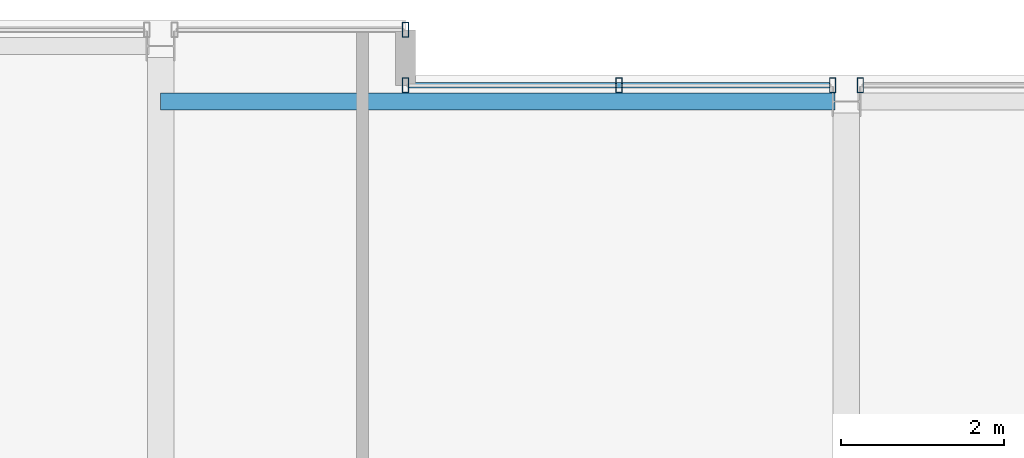
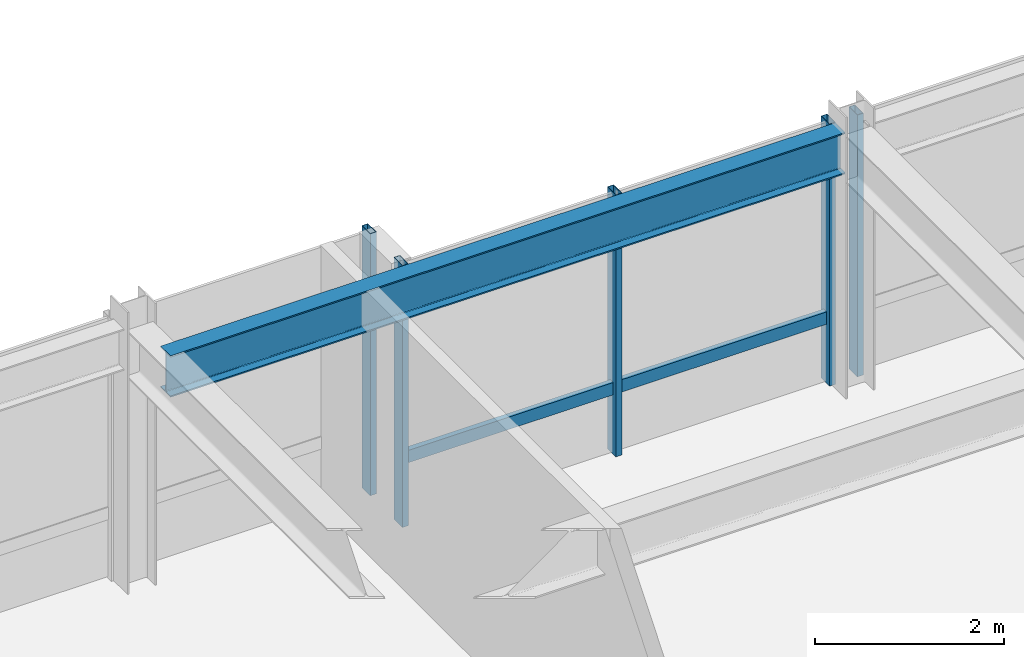
# One storey, part 23 of 34: 6 members, 1 beam, 3 elements without a shape of their own.
"""IFC4 building model written with IfcOpenShell, lengths in metres."""

from ifc_helpers import new_model, si_unit, direction, frame, origin, origin_2d, place, context, subcontext, project, spatial, hollow_rectangle, i_section, extrude, material, layer, layer_set, material_profile, profile_set, type_object, element, aggregate, save


model = new_model("IFC4")

# Units and contexts
model_context = context("Model", 3, precision=1e-05, world=origin(), true_north=direction((0.0, 1.0)))
body_context = subcontext(model_context, "Body", "Model", "MODEL_VIEW")
ifc_project = project(units=[si_unit("LENGTHUNIT", "METRE"), si_unit("AREAUNIT", "SQUARE_METRE"), si_unit("VOLUMEUNIT", "CUBIC_METRE"), si_unit("PLANEANGLEUNIT", "RADIAN"), si_unit("MASSUNIT", "GRAM", prefix="KILO")], contexts=[model_context])

# Site, building, storey
site_placement = place(None, origin())
site = spatial("IfcSite", under=ifc_project, at=site_placement, CompositionType="ELEMENT")
building_placement = place(site_placement, origin())
building = spatial("IfcBuilding", under=site, at=building_placement, Name="Drelvath Grand Hotel", CompositionType="ELEMENT")
storey_placement = place(building_placement, frame((0.0, 0.0, 286.89990234375)))
storey = spatial("IfcBuildingStorey", under=building, at=storey_placement, Name="L75", CompositionType="ELEMENT", Elevation=286.89990234375)

# Curtain wall, member
ifc_material_1 = material(Name="Platinum-Mist Anodised Aluminium Frame", Category="aluminium")
ifc_layer = layer(ifc_material_1, 0.199951171875)
ifc_layer_set = layer_set([ifc_layer], Name="Platinum-Mist Anodised Aluminium Frame")
curtain_wall_type = type_object("IfcCurtainWallType", Name="Stick Curtain Wall CW-05 Platinum Mist High-Rise", PredefinedType="NOTDEFINED", material=ifc_layer_set)
curtain_wall_1_placement = place(storey_placement, origin())
curtain_wall_1 = element("IfcCurtainWall", 1, at=curtain_wall_1_placement, inside=storey, type_object=curtain_wall_type, Name="L75 CW-05 Curtain Wall CW05-L75-NM1", PredefinedType="NOTDEFINED")
ifc_material_profile_1 = material_profile(ifc_material_1, hollow_rectangle(XDim=0.06494140625, YDim=0.159912109375, WallThickness=0.00390625, at=origin_2d()), Name="HSS160X65X4")
ifc_profile_set_1 = profile_set([ifc_material_profile_1], Name="Platinum-Mist Anodised Aluminium Frame")
member_type_1 = type_object("IfcMemberType", Name="Curtain Wall Horizontal Transom CW-05 HSS160X65X4", PredefinedType="USERDEFINED", material=ifc_profile_set_1)
member_1_placement = place(storey_placement, frame((-5.360107421875, 48.39990234375, 0.84765625), z_axis=(1.0, 0.0, 0.0), x_axis=(0.0, 1.0, 0.0)))
member_1 = element("IfcMember", 2, at=member_1_placement, type_object=member_type_1, Name="CW05-L75-NM1 Sill Transom", ObjectType="TRANSOM", PredefinedType="USERDEFINED", context=body_context, shape_type="SweptSolid", body=[
    extrude(hollow_rectangle(XDim=0.06494140625, YDim=0.159912109375, WallThickness=0.00390625, at=origin_2d()), origin(), (0.0, 0.0, 1.0), 5.14990234375),
])

curtain_wall_2_placement = place(storey_placement, origin())
curtain_wall_2 = element("IfcCurtainWall", 3, at=curtain_wall_2_placement, inside=storey, type_object=curtain_wall_type, Name="L75 CW-05 Curtain Wall CW05-L75-NW2", PredefinedType="NOTDEFINED")
ifc_material_profile_2 = material_profile(ifc_material_1, hollow_rectangle(XDim=0.074951171875, YDim=0.179931640625, WallThickness=0.0048828125, at=origin_2d()), Name="HSS180X75X5")
ifc_profile_set_2 = profile_set([ifc_material_profile_2], Name="Platinum-Mist Anodised Aluminium Frame")
member_type_2 = type_object("IfcMemberType", Name="Curtain Wall Vertical Mullion CW-05 HSS180X75X5", PredefinedType="MULLION", material=ifc_profile_set_2)
member_2_placement = place(storey_placement, frame((-5.39990234375, 49.080078125, 0.0), z_axis=(0.0, 0.0, 1.0), x_axis=(1.0, 0.0, 0.0)))
member_2 = element("IfcMember", 4, at=member_2_placement, type_object=member_type_2, Name="CW05-L75-NW2 Mullion 2", PredefinedType="MULLION", context=body_context, shape_type="SweptSolid", body=[
    extrude(hollow_rectangle(XDim=0.074951171875, YDim=0.179931640625, WallThickness=0.0048828125, at=origin_2d()), origin(), (0.0, 0.0, 1.0), 3.39013671875),
])
aggregate(curtain_wall_2, [member_2])

# Member
member_3_placement = place(storey_placement, frame((-5.39990234375, 48.39990234375, 0.0), z_axis=(0.0, 0.0, 1.0), x_axis=(1.0, 0.0, 0.0)))
member_3 = element("IfcMember", 5, at=member_3_placement, type_object=member_type_2, Name="CW05-L75-NM1 Mullion 1", PredefinedType="MULLION", context=body_context, shape_type="SweptSolid", body=[
    extrude(hollow_rectangle(XDim=0.074951171875, YDim=0.179931640625, WallThickness=0.0048828125, at=origin_2d()), origin(), (0.0, 0.0, 1.0), 3.39013671875),
])

member_4_placement = place(storey_placement, frame((-2.78515625, 48.39990234375, 0.0), z_axis=(0.0, 0.0, 1.0), x_axis=(1.0, 0.0, 0.0)))
member_4 = element("IfcMember", 6, at=member_4_placement, type_object=member_type_2, Name="CW05-L75-NM1 Mullion 2", PredefinedType="MULLION", context=body_context, shape_type="SweptSolid", body=[
    extrude(hollow_rectangle(XDim=0.074951171875, YDim=0.179931640625, WallThickness=0.0048828125, at=origin_2d()), origin(), (0.0, 0.0, 1.0), 3.39013671875),
])

member_5_placement = place(storey_placement, frame((-0.170166015625, 48.39990234375, 0.0), z_axis=(0.0, 0.0, 1.0), x_axis=(1.0, 0.0, 0.0)))
member_5 = element("IfcMember", 7, at=member_5_placement, type_object=member_type_2, Name="CW05-L75-NM1 Mullion 3", PredefinedType="MULLION", context=body_context, shape_type="SweptSolid", body=[
    extrude(hollow_rectangle(XDim=0.074951171875, YDim=0.179931640625, WallThickness=0.0048828125, at=origin_2d()), origin(), (0.0, 0.0, 1.0), 3.39013671875),
])

aggregate(curtain_wall_1, [member_3, member_4, member_5, member_1])

# Curtain wall, member
curtain_wall_3_placement = place(storey_placement, origin())
curtain_wall_3 = element("IfcCurtainWall", 8, at=curtain_wall_3_placement, inside=storey, type_object=curtain_wall_type, Name="L75 CW-05 Curtain Wall CW05-L75-NM2", PredefinedType="NOTDEFINED")
member_6_placement = place(storey_placement, frame((0.170166015625, 48.39990234375, 0.0), z_axis=(0.0, 0.0, 1.0), x_axis=(1.0, 0.0, 0.0)))
member_6 = element("IfcMember", 9, at=member_6_placement, type_object=member_type_2, Name="CW05-L75-NM2 Mullion 1", PredefinedType="MULLION", context=body_context, shape_type="SweptSolid", body=[
    extrude(hollow_rectangle(XDim=0.074951171875, YDim=0.179931640625, WallThickness=0.0048828125, at=origin_2d()), origin(), (0.0, 0.0, 1.0), 3.39013671875),
])
aggregate(curtain_wall_3, [member_6])

# Beam
ifc_material_2 = material(Name="Steel ASTM A992 Gr 50", Category="steel")
ifc_material_profile_3 = material_profile(ifc_material_2, i_section(OverallWidth=0.210205078125, OverallDepth=0.53662109375, WebThickness=0.010986328125, FlangeThickness=0.017333984375, FilletRadius=0.01806640625, at=origin_2d()), Name="W21X68")
ifc_profile_set_3 = profile_set([ifc_material_profile_3], Name="Steel ASTM A992 Gr 50")
beam_type = type_object("IfcBeamType", Name="Perimeter Spandrel Beam W21X68", PredefinedType="SPANDREL", material=ifc_profile_set_3)
beam_placement = place(storey_placement, frame((-8.39990234375, 48.199951171875, 3.121826171875), z_axis=(1.0, 0.0, 0.0), x_axis=(0.0, 1.0, 0.0)))
element("IfcBeam", 10, at=beam_placement, inside=storey, type_object=beam_type, Name="L75 Spandrel North Mid W", PredefinedType="SPANDREL", context=body_context, shape_type="SweptSolid", body=[
    extrude(i_section(OverallWidth=0.210205078125, OverallDepth=0.53662109375, WebThickness=0.010986328125, FlangeThickness=0.017333984375, FilletRadius=0.01806640625, at=origin_2d()), origin(), (0.0, 0.0, 1.0), 8.260009765625),
])

save(model, "model.ifc")
